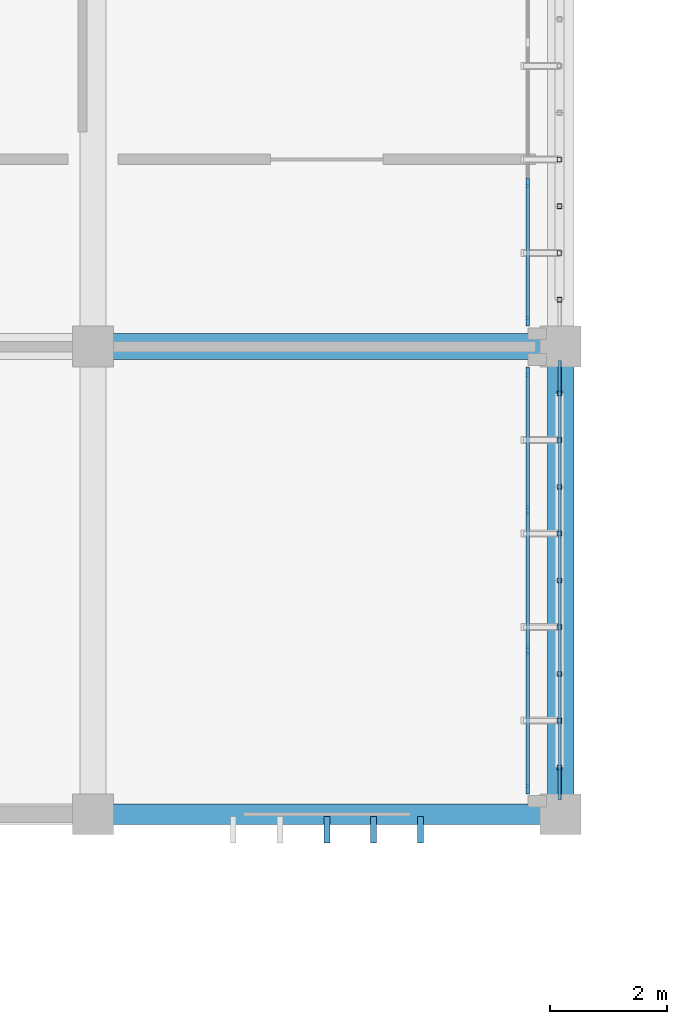
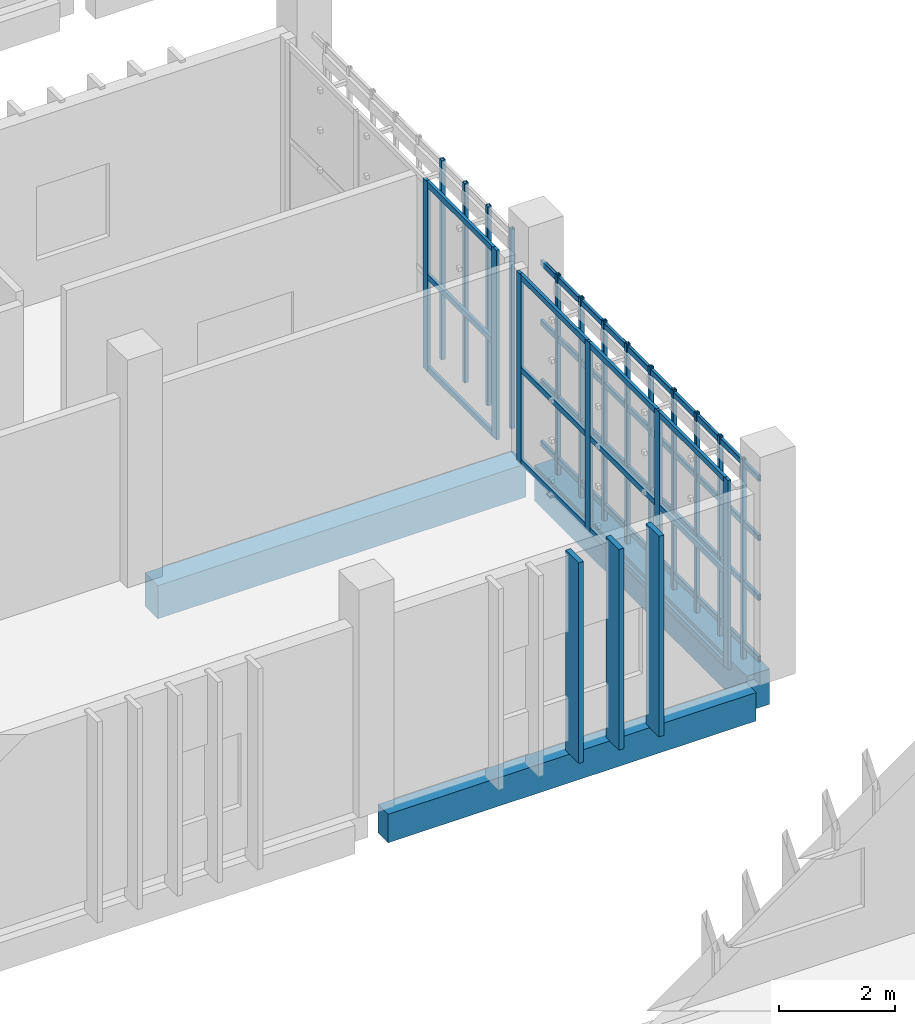
# One storey, part 39 of 106: 38 members, 3 beams, 2 elements without a shape of their own.
"""IFC4 building model written with IfcOpenShell, lengths in metres."""

from ifc_helpers import new_model, si_unit, direction, frame, origin, origin_2d, place, context, subcontext, project, spatial, rectangle, hollow_rectangle, extrude, material, layer, layer_set, material_profile, profile_set, type_object, element, aggregate, save


model = new_model("IFC4")

# Units and contexts
model_context = context("Model", 3, precision=1e-05, world=origin(), true_north=direction((0.0, 1.0)))
body_context = subcontext(model_context, "Body", "Model", "MODEL_VIEW")
ifc_project = project(units=[si_unit("LENGTHUNIT", "METRE"), si_unit("AREAUNIT", "SQUARE_METRE"), si_unit("VOLUMEUNIT", "CUBIC_METRE"), si_unit("PLANEANGLEUNIT", "RADIAN"), si_unit("MASSUNIT", "GRAM", prefix="KILO")], contexts=[model_context])

# Site, building, storey
site_placement = place(None, origin())
site = spatial("IfcSite", under=ifc_project, at=site_placement, CompositionType="ELEMENT")
building_placement = place(site_placement, origin())
building = spatial("IfcBuilding", under=site, at=building_placement, Name="Jelvoka-Kovrelna Polytechnic", CompositionType="ELEMENT")
storey_placement = place(building_placement, frame((0.0, 0.0, 4.800048828125)))
storey = spatial("IfcBuildingStorey", under=building, at=storey_placement, Name="L02", CompositionType="ELEMENT", Elevation=4.800048828125)

# Beams
ifc_material_1 = material(Name="Concrete C40/50", Category="concrete")
ifc_material_profile_1 = material_profile(ifc_material_1, rectangle(XDim=0.449951171875, YDim=0.699951171875, at=origin_2d()), Name="RC 450x700")
ifc_profile_set_1 = profile_set([ifc_material_profile_1], Name="Concrete C40/50")
beam_type_1 = type_object("IfcBeamType", Name="Beam_RC_450x700", PredefinedType="BEAM", material=ifc_profile_set_1)
beam_1_placement = place(storey_placement, frame((104.330078125, 40.0, -0.614990234375), z_axis=(1.0, 0.0, 0.0), x_axis=(0.0, 1.0, 0.0)))
element("IfcBeam", 1, at=beam_1_placement, inside=storey, type_object=beam_type_1, Name="L02 beam 0690", PredefinedType="BEAM", context=body_context, shape_type="SweptSolid", body=[
    extrude(rectangle(XDim=0.449951171875, YDim=0.699951171875, at=origin_2d()), origin(), (0.0, 0.0, 1.0), 7.33984375),
])
ifc_material_2 = material(Name="Concrete C40/50", Category="concrete")
ifc_material_profile_2 = material_profile(ifc_material_2, rectangle(XDim=0.449951171875, YDim=0.75, at=origin_2d()), Name="RC 450x750")
ifc_profile_set_2 = profile_set([ifc_material_profile_2], Name="Concrete C40/50")
beam_type_2 = type_object("IfcBeamType", Name="Beam_RC_450x750", PredefinedType="BEAM", material=ifc_profile_set_2)
beam_2_placement = place(storey_placement, frame((112.0, 32.330078125, -0.64013671875), z_axis=(0.0, 1.0, 0.0), x_axis=(-1.0, 0.0, 0.0)))
element("IfcBeam", 2, at=beam_2_placement, inside=storey, type_object=beam_type_2, Name="L02 beam 0712", PredefinedType="BEAM", context=body_context, shape_type="SweptSolid", body=[
    extrude(rectangle(XDim=0.449951171875, YDim=0.75, at=origin_2d()), origin(), (0.0, 0.0, 1.0), 7.33984375),
])

# Members
ifc_material_3 = material(Name="Precast concrete C40/50", Category="concrete")
ifc_material_profile_3 = material_profile(ifc_material_3, rectangle(XDim=0.10009765625, YDim=0.449951171875, at=origin_2d()), Name="PC 100x450")
ifc_profile_set_3 = profile_set([ifc_material_profile_3], Name="Precast concrete C40/50")
member_type_1 = type_object("IfcMemberType", Name="Louvre_Fin_100x450", PredefinedType="USERDEFINED", material=ifc_profile_set_3)
for number, where, z_axis, x_axis, name in (
    (3, (108.0, 31.735107421875, -0.27001953125), (0.0, 0.0, 1.0), (1.0, 0.0, 0.0), "L02 B2W south vertical solar louvre fin 0643"),
    (4, (108.800048828125, 31.735107421875, -0.27001953125), (0.0, 0.0, 1.0), (1.0, 0.0, 0.0), "L02 B2W south vertical solar louvre fin 0644"),
    (5, (109.60009765625, 31.735107421875, -0.27001953125), (0.0, 0.0, 1.0), (1.0, 0.0, 0.0), "L02 B2W south vertical solar louvre fin 0645"),
):
    element("IfcMember", number, at=place(storey_placement, frame(where, z_axis=z_axis, x_axis=x_axis)), inside=storey, type_object=member_type_1, Name=name, ObjectType="SUNSHADE", PredefinedType="USERDEFINED", context=body_context, shape_type="SweptSolid", body=[
        extrude(rectangle(XDim=0.10009765625, YDim=0.449951171875, at=origin_2d()), origin(), (0.0, 0.0, 1.0), 4.22998046875),
    ])
ifc_material_4 = material(Name="Structural steel S355J2H", Category="steel")
ifc_material_profile_4 = material_profile(ifc_material_4, hollow_rectangle(XDim=0.06005859375, YDim=0.1201171875, WallThickness=0.0048828125, InnerFilletRadius=0.0048828125, OuterFilletRadius=0.007568359375, at=origin_2d()), Name="120x60x5.0 RHS")
ifc_profile_set_4 = profile_set([ifc_material_profile_4], Name="Structural steel S355J2H")
member_type_2 = type_object("IfcMemberType", Name="Member_Strut_RHS120", PredefinedType="STRUT", material=ifc_profile_set_4)
for number, where, z_axis, x_axis, name in (
    (6, (111.97998046875, 32.239990234375, 0.079833984375), (0.0, 1.0, 0.0), (-1.0, 0.0, 0.0), "L02 terracotta screen horizontal strut 0131"),
    (7, (111.97998046875, 32.239990234375, 1.375244140625), (0.0, 1.0, 0.0), (-1.0, 0.0, 0.0), "L02 terracotta screen horizontal strut 0132"),
    (8, (111.97998046875, 32.239990234375, 2.632568359375), (0.0, 1.0, 0.0), (-1.0, 0.0, 0.0), "L02 terracotta screen horizontal strut 0133"),
    (9, (111.97998046875, 32.239990234375, 3.889892578125), (0.0, 1.0, 0.0), (-1.0, 0.0, 0.0), "L02 terracotta screen horizontal strut 0134"),
):
    element("IfcMember", number, at=place(storey_placement, frame(where, z_axis=z_axis, x_axis=x_axis)), inside=storey, type_object=member_type_2, Name=name, PredefinedType="STRUT", context=body_context, shape_type="SweptSolid", body=[
        extrude(hollow_rectangle(XDim=0.06005859375, YDim=0.1201171875, WallThickness=0.0048828125, InnerFilletRadius=0.0048828125, OuterFilletRadius=0.007568359375, at=origin_2d()), origin(), (0.0, 0.0, 1.0), 7.52001953125),
    ])
ifc_material_5 = material(Name="Structural steel S355J2H", Category="steel")
ifc_material_profile_5 = material_profile(ifc_material_5, hollow_rectangle(XDim=0.080078125, YDim=0.080078125, WallThickness=0.0048828125, InnerFilletRadius=0.0048828125, OuterFilletRadius=0.007568359375, at=origin_2d()), Name="80x80x5.0 SHS")
ifc_profile_set_5 = profile_set([ifc_material_profile_5], Name="Structural steel S355J2H")
member_type_3 = type_object("IfcMemberType", Name="Member_Strut_SHS80", PredefinedType="STRUT", material=ifc_profile_set_5)
for number, where, z_axis, x_axis, name in (
    (10, (111.97998046875, 32.800048828125, -0.22998046875), (0.0, 0.0, 1.0), (1.0, 0.0, 0.0), "L02 terracotta lattice vertical rib 0135"),
    (11, (111.97998046875, 33.60009765625, -0.22998046875), (0.0, 0.0, 1.0), (1.0, 0.0, 0.0), "L02 terracotta lattice vertical rib 0136"),
    (12, (111.97998046875, 34.39990234375, -0.22998046875), (0.0, 0.0, 1.0), (1.0, 0.0, 0.0), "L02 terracotta lattice vertical rib 0137"),
    (13, (111.97998046875, 35.199951171875, -0.22998046875), (0.0, 0.0, 1.0), (1.0, 0.0, 0.0), "L02 terracotta lattice vertical rib 0138"),
    (14, (111.97998046875, 36.0, -0.22998046875), (0.0, 0.0, 1.0), (1.0, 0.0, 0.0), "L02 terracotta lattice vertical rib 0139"),
    (15, (111.97998046875, 36.800048828125, -0.22998046875), (0.0, 0.0, 1.0), (1.0, 0.0, 0.0), "L02 terracotta lattice vertical rib 0140"),
    (16, (111.97998046875, 37.60009765625, -0.22998046875), (0.0, 0.0, 1.0), (1.0, 0.0, 0.0), "L02 terracotta lattice vertical rib 0141"),
    (17, (111.97998046875, 38.39990234375, -0.22998046875), (0.0, 0.0, 1.0), (1.0, 0.0, 0.0), "L02 terracotta lattice vertical rib 0142"),
    (18, (111.97998046875, 39.199951171875, -0.22998046875), (0.0, 0.0, 1.0), (1.0, 0.0, 0.0), "L02 terracotta lattice vertical rib 0143"),
    (19, (111.97998046875, 40.800048828125, -0.22998046875), (0.0, 0.0, 1.0), (1.0, 0.0, 0.0), "L02 terracotta lattice vertical rib 0148"),
    (20, (111.97998046875, 41.60009765625, -0.22998046875), (0.0, 0.0, 1.0), (1.0, 0.0, 0.0), "L02 terracotta lattice vertical rib 0149"),
    (21, (111.97998046875, 42.39990234375, -0.22998046875), (0.0, 0.0, 1.0), (1.0, 0.0, 0.0), "L02 terracotta lattice vertical rib 0150"),
    (22, (111.97998046875, 43.199951171875, -0.22998046875), (0.0, 0.0, 1.0), (1.0, 0.0, 0.0), "L02 terracotta lattice vertical rib 0151"),
):
    element("IfcMember", number, at=place(storey_placement, frame(where, z_axis=z_axis, x_axis=x_axis)), inside=storey, type_object=member_type_3, Name=name, PredefinedType="STRUT", context=body_context, shape_type="SweptSolid", body=[
        extrude(hollow_rectangle(XDim=0.080078125, YDim=0.080078125, WallThickness=0.0048828125, InnerFilletRadius=0.0048828125, OuterFilletRadius=0.007568359375, at=origin_2d()), origin(), (0.0, 0.0, 1.0), 4.2099609375),
    ])

# Curtain wall, members
ifc_material_6 = material(Name="Anodised aluminium 6063-T6", Category="aluminium")
ifc_layer = layer(ifc_material_6, 0.159912109375)
ifc_layer_set = layer_set([ifc_layer], Name="Anodised aluminium 6063-T6")
curtain_wall_type = type_object("IfcCurtainWallType", Name="CW_Recessed_A", PredefinedType="NOTDEFINED", material=ifc_layer_set)
curtain_wall_1_placement = place(storey_placement, origin())
curtain_wall_1 = element("IfcCurtainWall", 23, at=curtain_wall_1_placement, inside=storey, type_object=curtain_wall_type, Name="L02 glazed curtain wall 019", PredefinedType="NOTDEFINED")
ifc_material_7 = material(Name="Anodised aluminium 6063-T6", Category="aluminium")
ifc_material_profile_6 = material_profile(ifc_material_7, rectangle(XDim=0.06005859375, YDim=0.159912109375, at=origin_2d()), Name="ALU 60x160")
ifc_profile_set_6 = profile_set([ifc_material_profile_6], Name="Anodised aluminium 6063-T6")
member_type_4 = type_object("IfcMemberType", Name="Mullion_M-01", PredefinedType="MULLION", material=ifc_profile_set_6)
member_1_placement = place(storey_placement, frame((111.43994140625, 39.570068359375, -0.02490234375), z_axis=(0.0, 0.0, 1.0), x_axis=(1.0, 0.0, 0.0)))
member_1 = element("IfcMember", 24, at=member_1_placement, type_object=member_type_4, Name="CW-01 mullion 1", PredefinedType="MULLION", context=body_context, shape_type="SweptSolid", body=[
    extrude(rectangle(XDim=0.06005859375, YDim=0.159912109375, at=origin_2d()), origin(), (0.0, 0.0, 1.0), 4.0),
])
member_2_placement = place(storey_placement, frame((111.43994140625, 37.199951171875, -0.02490234375), z_axis=(0.0, 0.0, 1.0), x_axis=(1.0, 0.0, 0.0)))
member_2 = element("IfcMember", 25, at=member_2_placement, type_object=member_type_4, Name="CW-01 mullion 2", PredefinedType="MULLION", context=body_context, shape_type="SweptSolid", body=[
    extrude(rectangle(XDim=0.06005859375, YDim=0.159912109375, at=origin_2d()), origin(), (0.0, 0.0, 1.0), 4.0),
])
member_3_placement = place(storey_placement, frame((111.43994140625, 34.800048828125, -0.02490234375), z_axis=(0.0, 0.0, 1.0), x_axis=(1.0, 0.0, 0.0)))
member_3 = element("IfcMember", 26, at=member_3_placement, type_object=member_type_4, Name="CW-01 mullion 3", PredefinedType="MULLION", context=body_context, shape_type="SweptSolid", body=[
    extrude(rectangle(XDim=0.06005859375, YDim=0.159912109375, at=origin_2d()), origin(), (0.0, 0.0, 1.0), 4.0),
])
member_4_placement = place(storey_placement, frame((111.43994140625, 32.429931640625, -0.02490234375), z_axis=(0.0, 0.0, 1.0), x_axis=(1.0, 0.0, 0.0)))
member_4 = element("IfcMember", 27, at=member_4_placement, type_object=member_type_4, Name="CW-01 mullion 4", PredefinedType="MULLION", context=body_context, shape_type="SweptSolid", body=[
    extrude(rectangle(XDim=0.06005859375, YDim=0.159912109375, at=origin_2d()), origin(), (0.0, 0.0, 1.0), 4.0),
])

curtain_wall_2_placement = place(storey_placement, origin())
curtain_wall_2 = element("IfcCurtainWall", 28, at=curtain_wall_2_placement, inside=storey, type_object=curtain_wall_type, Name="L02 glazed curtain wall 020", PredefinedType="NOTDEFINED")
member_5_placement = place(storey_placement, frame((111.43994140625, 42.800048828125, -0.02490234375), z_axis=(0.0, 0.0, 1.0), x_axis=(1.0, 0.0, 0.0)))
member_5 = element("IfcMember", 29, at=member_5_placement, type_object=member_type_4, Name="CW-01 mullion 3", PredefinedType="MULLION", context=body_context, shape_type="SweptSolid", body=[
    extrude(rectangle(XDim=0.06005859375, YDim=0.159912109375, at=origin_2d()), origin(), (0.0, 0.0, 1.0), 4.0),
])
member_6_placement = place(storey_placement, frame((111.43994140625, 40.429931640625, -0.02490234375), z_axis=(0.0, 0.0, 1.0), x_axis=(1.0, 0.0, 0.0)))
member_6 = element("IfcMember", 30, at=member_6_placement, type_object=member_type_4, Name="CW-01 mullion 4", PredefinedType="MULLION", context=body_context, shape_type="SweptSolid", body=[
    extrude(rectangle(XDim=0.06005859375, YDim=0.159912109375, at=origin_2d()), origin(), (0.0, 0.0, 1.0), 4.0),
])

# Beam
ifc_material_8 = material(Name="Concrete C40/50", Category="concrete")
ifc_material_profile_7 = material_profile(ifc_material_8, rectangle(XDim=0.35009765625, YDim=0.60009765625, at=origin_2d()), Name="RC 350x600")
ifc_profile_set_7 = profile_set([ifc_material_profile_7], Name="Concrete C40/50")
beam_type_3 = type_object("IfcBeamType", Name="Spandrel_RC_350x600", PredefinedType="SPANDREL", material=ifc_profile_set_7)
beam_3_placement = place(storey_placement, frame((104.330078125, 32.0, -0.56494140625), z_axis=(1.0, 0.0, 0.0), x_axis=(0.0, 1.0, 0.0)))
element("IfcBeam", 31, at=beam_3_placement, inside=storey, type_object=beam_type_3, Name="L02 beam 0684", PredefinedType="SPANDREL", context=body_context, shape_type="SweptSolid", body=[
    extrude(rectangle(XDim=0.35009765625, YDim=0.60009765625, at=origin_2d()), origin(), (0.0, 0.0, 1.0), 7.33984375),
])

# Member
ifc_material_9 = material(Name="Anodised aluminium 6063-T6", Category="aluminium")
ifc_material_profile_8 = material_profile(ifc_material_9, rectangle(XDim=0.06005859375, YDim=0.1201171875, at=origin_2d()), Name="ALU 60x120")
ifc_profile_set_8 = profile_set([ifc_material_profile_8], Name="Anodised aluminium 6063-T6")
member_type_5 = type_object("IfcMemberType", Name="Transom_T-01", PredefinedType="USERDEFINED", material=ifc_profile_set_8)
member_7_placement = place(storey_placement, frame((111.43994140625, 39.5400390625, 0.030029296875), z_axis=(0.0, -1.0, 0.0), x_axis=(1.0, 0.0, 0.0)))
member_7 = element("IfcMember", 32, at=member_7_placement, type_object=member_type_5, Name="CW-01 transom 1.1", ObjectType="TRANSOM", PredefinedType="USERDEFINED", context=body_context, shape_type="SweptSolid", body=[
    extrude(rectangle(XDim=0.06005859375, YDim=0.1201171875, at=origin_2d()), origin(), (0.0, 0.0, 1.0), 2.31005859375),
])

member_8_placement = place(storey_placement, frame((111.43994140625, 39.5400390625, 1.974853515625), z_axis=(0.0, -1.0, 0.0), x_axis=(1.0, 0.0, 0.0)))
member_8 = element("IfcMember", 33, at=member_8_placement, type_object=member_type_5, Name="CW-01 transom 1.2", ObjectType="TRANSOM", PredefinedType="USERDEFINED", context=body_context, shape_type="SweptSolid", body=[
    extrude(rectangle(XDim=0.06005859375, YDim=0.1201171875, at=origin_2d()), origin(), (0.0, 0.0, 1.0), 2.31005859375),
])

member_9_placement = place(storey_placement, frame((111.43994140625, 39.5400390625, 3.919921875), z_axis=(0.0, -1.0, 0.0), x_axis=(1.0, 0.0, 0.0)))
member_9 = element("IfcMember", 34, at=member_9_placement, type_object=member_type_5, Name="CW-01 transom 1.3", ObjectType="TRANSOM", PredefinedType="USERDEFINED", context=body_context, shape_type="SweptSolid", body=[
    extrude(rectangle(XDim=0.06005859375, YDim=0.1201171875, at=origin_2d()), origin(), (0.0, 0.0, 1.0), 2.31005859375),
])

member_10_placement = place(storey_placement, frame((111.43994140625, 37.169921875, 0.030029296875), z_axis=(0.0, -1.0, 0.0), x_axis=(1.0, 0.0, 0.0)))
member_10 = element("IfcMember", 35, at=member_10_placement, type_object=member_type_5, Name="CW-01 transom 2.1", ObjectType="TRANSOM", PredefinedType="USERDEFINED", context=body_context, shape_type="SweptSolid", body=[
    extrude(rectangle(XDim=0.06005859375, YDim=0.1201171875, at=origin_2d()), origin(), (0.0, 0.0, 1.0), 2.33984375),
])

member_11_placement = place(storey_placement, frame((111.43994140625, 37.169921875, 1.974853515625), z_axis=(0.0, -1.0, 0.0), x_axis=(1.0, 0.0, 0.0)))
member_11 = element("IfcMember", 36, at=member_11_placement, type_object=member_type_5, Name="CW-01 transom 2.2", ObjectType="TRANSOM", PredefinedType="USERDEFINED", context=body_context, shape_type="SweptSolid", body=[
    extrude(rectangle(XDim=0.06005859375, YDim=0.1201171875, at=origin_2d()), origin(), (0.0, 0.0, 1.0), 2.33984375),
])

member_12_placement = place(storey_placement, frame((111.43994140625, 37.169921875, 3.919921875), z_axis=(0.0, -1.0, 0.0), x_axis=(1.0, 0.0, 0.0)))
member_12 = element("IfcMember", 37, at=member_12_placement, type_object=member_type_5, Name="CW-01 transom 2.3", ObjectType="TRANSOM", PredefinedType="USERDEFINED", context=body_context, shape_type="SweptSolid", body=[
    extrude(rectangle(XDim=0.06005859375, YDim=0.1201171875, at=origin_2d()), origin(), (0.0, 0.0, 1.0), 2.33984375),
])

member_13_placement = place(storey_placement, frame((111.43994140625, 34.77001953125, 0.030029296875), z_axis=(0.0, -1.0, 0.0), x_axis=(1.0, 0.0, 0.0)))
member_13 = element("IfcMember", 38, at=member_13_placement, type_object=member_type_5, Name="CW-01 transom 3.1", ObjectType="TRANSOM", PredefinedType="USERDEFINED", context=body_context, shape_type="SweptSolid", body=[
    extrude(rectangle(XDim=0.06005859375, YDim=0.1201171875, at=origin_2d()), origin(), (0.0, 0.0, 1.0), 2.31005859375),
])

member_14_placement = place(storey_placement, frame((111.43994140625, 34.77001953125, 1.974853515625), z_axis=(0.0, -1.0, 0.0), x_axis=(1.0, 0.0, 0.0)))
member_14 = element("IfcMember", 39, at=member_14_placement, type_object=member_type_5, Name="CW-01 transom 3.2", ObjectType="TRANSOM", PredefinedType="USERDEFINED", context=body_context, shape_type="SweptSolid", body=[
    extrude(rectangle(XDim=0.06005859375, YDim=0.1201171875, at=origin_2d()), origin(), (0.0, 0.0, 1.0), 2.31005859375),
])

member_15_placement = place(storey_placement, frame((111.43994140625, 34.77001953125, 3.919921875), z_axis=(0.0, -1.0, 0.0), x_axis=(1.0, 0.0, 0.0)))
member_15 = element("IfcMember", 40, at=member_15_placement, type_object=member_type_5, Name="CW-01 transom 3.3", ObjectType="TRANSOM", PredefinedType="USERDEFINED", context=body_context, shape_type="SweptSolid", body=[
    extrude(rectangle(XDim=0.06005859375, YDim=0.1201171875, at=origin_2d()), origin(), (0.0, 0.0, 1.0), 2.31005859375),
])

aggregate(curtain_wall_1, [member_1, member_2, member_3, member_4, member_7, member_8, member_9, member_10, member_11, member_12, member_13, member_14, member_15])

member_16_placement = place(storey_placement, frame((111.43994140625, 42.77001953125, 0.030029296875), z_axis=(0.0, -1.0, 0.0), x_axis=(1.0, 0.0, 0.0)))
member_16 = element("IfcMember", 41, at=member_16_placement, type_object=member_type_5, Name="CW-01 transom 3.1", ObjectType="TRANSOM", PredefinedType="USERDEFINED", context=body_context, shape_type="SweptSolid", body=[
    extrude(rectangle(XDim=0.06005859375, YDim=0.1201171875, at=origin_2d()), origin(), (0.0, 0.0, 1.0), 2.31005859375),
])

member_17_placement = place(storey_placement, frame((111.43994140625, 42.77001953125, 1.974853515625), z_axis=(0.0, -1.0, 0.0), x_axis=(1.0, 0.0, 0.0)))
member_17 = element("IfcMember", 42, at=member_17_placement, type_object=member_type_5, Name="CW-01 transom 3.2", ObjectType="TRANSOM", PredefinedType="USERDEFINED", context=body_context, shape_type="SweptSolid", body=[
    extrude(rectangle(XDim=0.06005859375, YDim=0.1201171875, at=origin_2d()), origin(), (0.0, 0.0, 1.0), 2.31005859375),
])

member_18_placement = place(storey_placement, frame((111.43994140625, 42.77001953125, 3.919921875), z_axis=(0.0, -1.0, 0.0), x_axis=(1.0, 0.0, 0.0)))
member_18 = element("IfcMember", 43, at=member_18_placement, type_object=member_type_5, Name="CW-01 transom 3.3", ObjectType="TRANSOM", PredefinedType="USERDEFINED", context=body_context, shape_type="SweptSolid", body=[
    extrude(rectangle(XDim=0.06005859375, YDim=0.1201171875, at=origin_2d()), origin(), (0.0, 0.0, 1.0), 2.31005859375),
])

aggregate(curtain_wall_2, [member_5, member_6, member_16, member_17, member_18])

save(model, "model.ifc")
